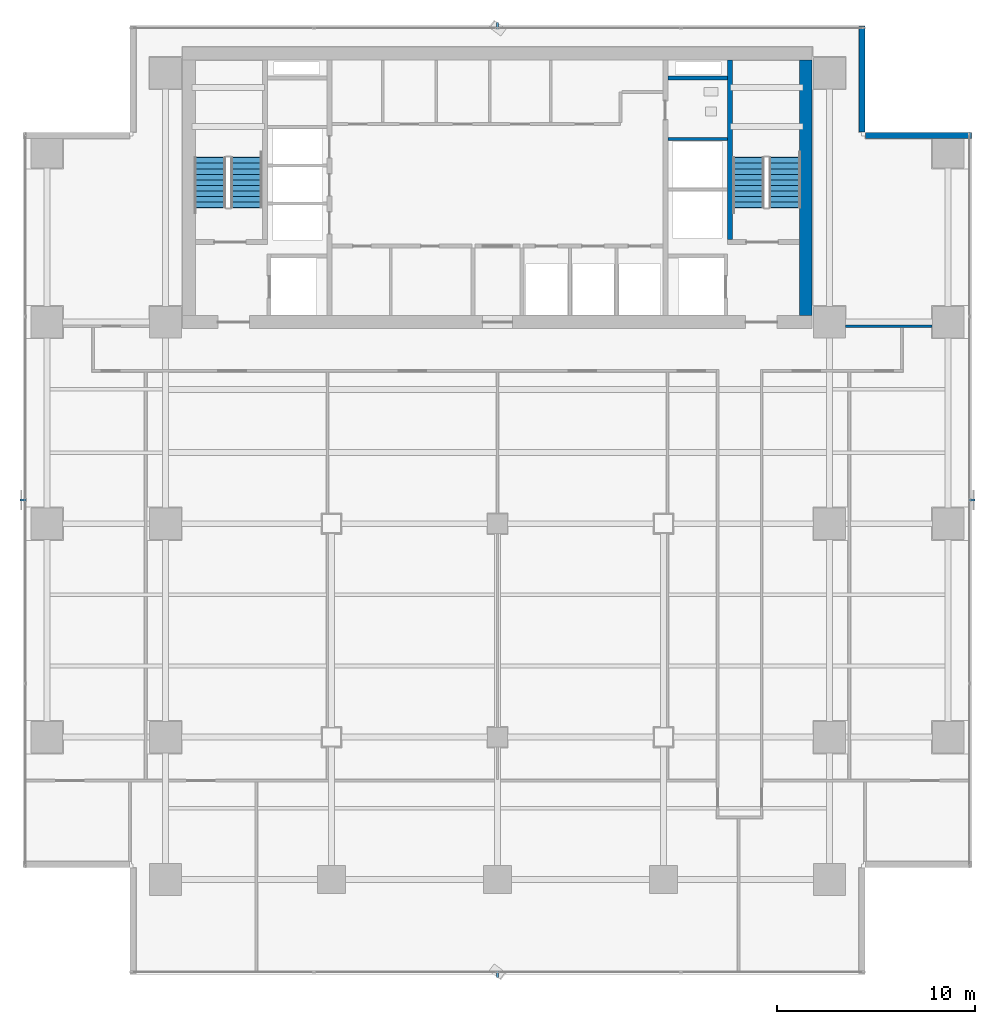
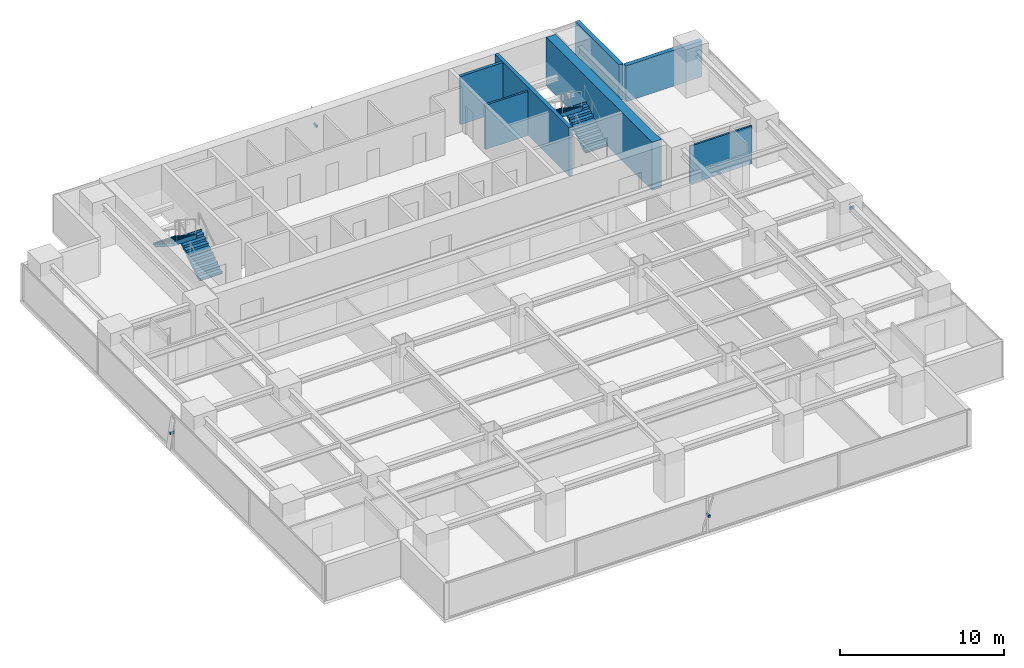
# One storey, part 23 of 28: 7 walls, 4 discrete accessories, 4 stair flights, 2 elements without a shape of their own.
"""IFC4 building model written with IfcOpenShell, lengths in metres."""

import ifcopenshell
import ifcopenshell.guid

model = None  # the IFC model being written
_history = None  # IfcOwnerHistory: only IFC2X3 demands one
_inside = {}  # id of a spatial element -> (the spatial element, [elements in it])
_under = {}  # id of a project, library or spatial element -> (it, [spatial elements below it])
_declared = {}  # id of a project -> (the project, [libraries it declares])
_typed = {}  # id of a type object -> (the type object, [elements of that type])
_made_of = {}  # id of a material, layer set ... -> (it, [elements and type objects made of it])


def new_model(schema):
    """Start an empty IFC model of exactly this schema.

    Asked for "IFC4X3", IfcOpenShell would pick the latest addendum, in which some entities
    have other attributes; the version numbers below select the first issue.
    IFC2X3 requires an IfcOwnerHistory on every rooted entity: one is made here for all.
    """
    global model, _history
    if schema == "IFC4X3":
        model = ifcopenshell.file(schema_version=(4, 3, 0, 0))
    else:
        model = ifcopenshell.file(schema=schema)
    _inside.clear()
    _under.clear()
    _declared.clear()
    _typed.clear()
    _made_of.clear()
    _history = None
    if model.schema == "IFC2X3":
        org = make("IfcOrganization", Name="unknown")
        user = make(
            "IfcPersonAndOrganization",
            ThePerson=make("IfcPerson", FamilyName="unknown"),
            TheOrganization=org,
        )
        app = make(
            "IfcApplication",
            ApplicationDeveloper=org,
            Version="unknown",
            ApplicationFullName="unknown",
            ApplicationIdentifier="unknown",
        )
        _history = make(
            "IfcOwnerHistory",
            OwningUser=user,
            OwningApplication=app,
            ChangeAction="ADDED",
            CreationDate=0,
        )
    return model


def make(cls, **values):
    """One entity of the class cls with the attributes given. An attribute that is None is left unset."""
    return model.create_entity(
        cls, **{name: value for name, value in values.items() if value is not None}
    )


def rooted(cls, **values):
    """An entity with a GlobalId (a new one), such as an element, a storey or a relation."""
    return make(cls, GlobalId=ifcopenshell.guid.new(), OwnerHistory=_history, **values)


def si_unit(unit_type, name, prefix=None):
    """IfcSIUnit, for example si_unit("LENGTHUNIT", "METRE", prefix="MILLI")."""
    return make("IfcSIUnit", UnitType=unit_type, Prefix=prefix, Name=name)


def assignment(units):
    """IfcUnitAssignment: the units of a project."""
    return None if units is None else make("IfcUnitAssignment", Units=units)


def point(xyz):
    """IfcCartesianPoint."""
    return None if xyz is None else make("IfcCartesianPoint", Coordinates=xyz)


def direction(xyz):
    """IfcDirection."""
    return None if xyz is None else make("IfcDirection", DirectionRatios=xyz)


def frame(location, z_axis=None, x_axis=None):
    """IfcAxis2Placement3D, a coordinate frame: its origin and axes. An axis left out is left unset."""
    return make(
        "IfcAxis2Placement3D",
        Location=point(location),
        Axis=direction(z_axis),
        RefDirection=direction(x_axis),
    )


def frame_2d(location, x_axis=None):
    """IfcAxis2Placement2D, a coordinate frame in the plane: its origin and x axis."""
    return make(
        "IfcAxis2Placement2D", Location=point(location), RefDirection=direction(x_axis)
    )


def origin():
    """The frame at (0, 0, 0) with its axes left unset."""
    return frame((0.0, 0.0, 0.0))


def origin_2d():
    """The frame at (0, 0) in the plane with its x axis left unset."""
    return frame_2d((0.0, 0.0))


def place(relative_to, where):
    """IfcLocalPlacement: puts the frame where relative to a parent placement (None: the world)."""
    return make(
        "IfcLocalPlacement", PlacementRelTo=relative_to, RelativePlacement=where
    )


def context(
    kind, dimensions, precision=None, world=None, true_north=None, identifier=None
):
    """IfcGeometricRepresentationContext, for example the 3D "Model" context."""
    return make(
        "IfcGeometricRepresentationContext",
        ContextIdentifier=identifier,
        ContextType=kind,
        CoordinateSpaceDimension=dimensions,
        Precision=precision,
        WorldCoordinateSystem=world,
        TrueNorth=true_north,
    )


def subcontext(parent, identifier, kind, view, scale=None):
    """IfcGeometricRepresentationSubContext, for example "Body" below "Model"."""
    return make(
        "IfcGeometricRepresentationSubContext",
        ContextIdentifier=identifier,
        ContextType=kind,
        ParentContext=parent,
        TargetScale=scale,
        TargetView=view,
    )


def project(units=None, contexts=None):
    """IfcProject with its units and contexts."""
    return rooted(
        "IfcProject",
        Name="project",
        RepresentationContexts=contexts,
        UnitsInContext=assignment(units),
    )


def spatial(cls, under=None, at=None, **own):
    """A site, building, storey or space (cls), placed at a placement, below another one or the project."""
    s = rooted(cls, ObjectPlacement=at, **own)
    if under is not None:
        _under.setdefault(under.id(), (under, []))[1].append(s)
    return s


def polyline(points):
    """IfcPolyline through the points."""
    return make("IfcPolyline", Points=[point(p) for p in points])


def profile(cls, at=None, kind="AREA", **sizes):
    """A parametric profile (cls). Its sizes go by their IFC names, for example OverallWidth=200.0."""
    return make(cls, ProfileType=kind, Position=at, **sizes)


def rectangle(**sizes):
    """IfcRectangleProfileDef."""
    return profile("IfcRectangleProfileDef", **sizes)


def outline(outer, holes=None, kind="AREA"):
    """IfcArbitraryClosedProfileDef: a profile drawn as a closed curve; with holes, ...WithVoids."""
    if holes is None:
        return make("IfcArbitraryClosedProfileDef", ProfileType=kind, OuterCurve=outer)
    return make(
        "IfcArbitraryProfileDefWithVoids",
        ProfileType=kind,
        OuterCurve=outer,
        InnerCurves=holes,
    )


def extrude(swept, where, along, depth):
    """IfcExtrudedAreaSolid: the profile swept, set in the frame where, extruded along a direction by depth."""
    return make(
        "IfcExtrudedAreaSolid",
        SweptArea=swept,
        Position=where,
        ExtrudedDirection=direction(along),
        Depth=depth,
    )


def shape(context_of_items, identifier, shape_type, items):
    """IfcShapeRepresentation: the items that make up one representation, for example the "Body"."""
    return make(
        "IfcShapeRepresentation",
        ContextOfItems=context_of_items,
        RepresentationIdentifier=identifier,
        RepresentationType=shape_type,
        Items=items,
    )


def source(mapping_origin, context_of_items, identifier, shape_type, items):
    """IfcRepresentationMap: a shape defined once, which mapped items show again and again."""
    return make(
        "IfcRepresentationMap",
        MappingOrigin=mapping_origin,
        MappedRepresentation=shape(context_of_items, identifier, shape_type, items),
    )


def transform(
    local_origin,
    x_axis=None,
    y_axis=None,
    z_axis=None,
    scale=None,
    scale2=None,
    scale3=None,
    uniform=True,
):
    """IfcCartesianTransformationOperator3D, or its non-uniform kind. x_axis, y_axis, z_axis: its Axis1, 2, 3."""
    if uniform:
        return make(
            "IfcCartesianTransformationOperator3D",
            Axis1=direction(x_axis),
            Axis2=direction(y_axis),
            LocalOrigin=point(local_origin),
            Scale=scale,
            Axis3=direction(z_axis),
        )
    return make(
        "IfcCartesianTransformationOperator3DnonUniform",
        Axis1=direction(x_axis),
        Axis2=direction(y_axis),
        LocalOrigin=point(local_origin),
        Scale=scale,
        Axis3=direction(z_axis),
        Scale2=scale2,
        Scale3=scale3,
    )


def mapped(mapping_source, mapping_target):
    """IfcMappedItem: shows the shape of a source again, moved by a transform."""
    return make(
        "IfcMappedItem", MappingSource=mapping_source, MappingTarget=mapping_target
    )


def material(Name=None, Category=None):
    """IfcMaterial."""
    return make("IfcMaterial", Name=Name, Category=Category)


def layer(
    of_material, thickness, ventilated=None, Name=None, Category=None, Priority=None
):
    """IfcMaterialLayer: one layer of a wall or slab, of a material (None: an air gap)."""
    return make(
        "IfcMaterialLayer",
        Material=of_material,
        LayerThickness=thickness,
        IsVentilated=ventilated,
        Name=Name,
        Category=Category,
        Priority=Priority,
    )


def layer_set(layers, Name=None):
    """IfcMaterialLayerSet."""
    return make("IfcMaterialLayerSet", MaterialLayers=layers, LayerSetName=Name)


def material_profile(
    of_material, cross_section, Name=None, Category=None, Priority=None
):
    """IfcMaterialProfile: a cross section and its material."""
    return make(
        "IfcMaterialProfile",
        Name=Name,
        Material=of_material,
        Profile=cross_section,
        Priority=Priority,
        Category=Category,
    )


def profile_set(profiles, Name=None, composite=None):
    """IfcMaterialProfileSet."""
    return make(
        "IfcMaterialProfileSet",
        Name=Name,
        MaterialProfiles=profiles,
        CompositeProfile=composite,
    )


def made_of(thing, what):
    """Note that an element or type object is made of a material, layer set ...; save() writes the relation."""
    if what is not None:
        _made_of.setdefault(what.id(), (what, []))[1].append(thing)
    return thing


def type_object(cls, material=None, **own):
    """A type object (cls), such as IfcWallType, which elements share."""
    return made_of(rooted(cls, **own), material)


def element(
    cls,
    number,
    at=None,
    inside=None,
    cuts=None,
    type_object=None,
    material=None,
    context=None,
    identifier="Body",
    shape_type=None,
    held_by="IfcProductDefinitionShape",
    body=None,
    shapes=None,
    **own,
):
    """One element of the class cls, such as IfcWall. Its Tag is "e" and its number.

    at: its placement. inside: the storey or other place that contains it. cuts: it is an
    opening in that element (IfcRelVoidsElement). A single representation is given by context,
    identifier, shape_type and body (its items); several are given by shapes. held_by: the class
    of the entity that holds the representations. save() writes the other relations.
    """
    e = rooted(cls, Tag="e%d" % number, ObjectPlacement=at, **own)
    if body is not None:
        shapes = [shape(context, identifier, shape_type, body)]
    if shapes is not None:
        e.Representation = make(held_by, Representations=shapes)
    if inside is not None:
        _inside.setdefault(inside.id(), (inside, []))[1].append(e)
    if cuts is not None:
        rooted(
            "IfcRelVoidsElement", RelatingBuildingElement=cuts, RelatedOpeningElement=e
        )
    if type_object is not None:
        _typed.setdefault(type_object.id(), (type_object, []))[1].append(e)
    return made_of(e, material)


def aggregate(whole, parts):
    """IfcRelAggregates: a whole, such as a stair, and the parts it consists of."""
    return rooted("IfcRelAggregates", RelatingObject=whole, RelatedObjects=parts)


def save(model, path):
    """Write the relations noted so far, then the file.

    IfcRelAggregates (storeys below a building ...), IfcRelContainedInSpatialStructure (elements
    in a storey), IfcRelDefinesByType, IfcRelAssociatesMaterial and IfcRelDeclares: one each for
    every whole, place, type object, material and project.
    """
    for whole, parts in _under.values():
        aggregate(whole, parts)
    for where, things in _inside.values():
        rooted(
            "IfcRelContainedInSpatialStructure",
            RelatedElements=things,
            RelatingStructure=where,
        )
    for kind, things in _typed.values():
        rooted("IfcRelDefinesByType", RelatedObjects=things, RelatingType=kind)
    for what, things in _made_of.values():
        rooted("IfcRelAssociatesMaterial", RelatedObjects=things, RelatingMaterial=what)
    for by, libraries in _declared.values():
        rooted("IfcRelDeclares", RelatingContext=by, RelatedDefinitions=libraries)
    model.write(path)


model = new_model("IFC4")

# Units and contexts
model_context = context("Model", 3, precision=1e-05, world=origin(), true_north=direction((0.0, 1.0)))
body_context = subcontext(model_context, "Body", "Model", "MODEL_VIEW")
ifc_project = project(units=[si_unit("LENGTHUNIT", "METRE"), si_unit("AREAUNIT", "SQUARE_METRE"), si_unit("VOLUMEUNIT", "CUBIC_METRE"), si_unit("PLANEANGLEUNIT", "RADIAN"), si_unit("MASSUNIT", "GRAM", prefix="KILO")], contexts=[model_context])

# Site, building, storey
site_placement = place(None, origin())
site = spatial("IfcSite", under=ifc_project, at=site_placement, CompositionType="ELEMENT")
building_placement = place(site_placement, origin())
building = spatial("IfcBuilding", under=site, at=building_placement, Name="Sumidabori Civic Tower", CompositionType="ELEMENT")
storey_placement = place(building_placement, frame((0.0, 0.0, 185.60009765625)))
storey = spatial("IfcBuildingStorey", under=building, at=storey_placement, Name="L48", CompositionType="ELEMENT", Elevation=185.60009765625)

# Walls
ifc_material_1 = material(Name="Concrete C50/60", Category="concrete")
ifc_layer_1 = layer(ifc_material_1, 0.199951171875, Name="Concrete C50/60")
ifc_layer_set_1 = layer_set([ifc_layer_1], Name="Concrete C50/60")
wall_type_1 = type_object("IfcWallType", Name="WL-SHAFT-200", PredefinedType="SHEAR", material=ifc_layer_set_1)
shared_shape_1 = source(origin(), body_context, "Body", "SweptSolid", [
    extrude(rectangle(XDim=3.02001953125, YDim=0.199951171875, at=frame_2d((1.510009765625, 0.0))), origin(), (0.0, 0.0, 1.0), 3.599853515625),
])
wall_1_placement = place(storey_placement, frame((8.625, 22.550048828125, 0.0), z_axis=(0.0, 0.0, 1.0), x_axis=(1.0, 0.0, 0.0)))
element("IfcWall", 1, at=wall_1_placement, inside=storey, type_object=wall_type_1, Name="Core Shear Wall L48 RIS2-S", PredefinedType="SHEAR", context=body_context, shape_type="MappedRepresentation", body=[
    mapped(shared_shape_1, transform((0.0, 0.0, 0.0), x_axis=(1.0, 0.0, 0.0), y_axis=(0.0, 1.0, 0.0), z_axis=(0.0, 0.0, 1.0), scale=1.0)),
])
ifc_material_2 = material(Name="Concrete C60/75", Category="concrete")
ifc_layer_2 = layer(ifc_material_2, 0.64990234375, Name="Concrete C60/75")
ifc_layer_set_2 = layer_set([ifc_layer_2], Name="Concrete C60/75")
wall_type_2 = type_object("IfcWallType", Name="WL-CORE-650", PredefinedType="SHEAR", material=ifc_layer_set_2)
shared_shape_2 = source(origin(), body_context, "Body", "SweptSolid", [
    extrude(rectangle(XDim=12.9501953125, YDim=0.64990234375, at=frame_2d((6.47509765625, 0.0))), origin(), (0.0, 0.0, 1.0), 3.599853515625),
])
wall_2_placement = place(storey_placement, frame((15.60009765625, 10.52490234375, 0.0), z_axis=(0.0, 0.0, 1.0), x_axis=(0.0, 1.0, 0.0)))
element("IfcWall", 2, at=wall_2_placement, inside=storey, type_object=wall_type_2, Name="Core Shear Wall L48 E", PredefinedType="SHEAR", context=body_context, shape_type="MappedRepresentation", body=[
    mapped(shared_shape_2, transform((0.0, 0.0, 0.0), x_axis=(1.0, 0.0, 0.0), y_axis=(0.0, 1.0, 0.0), z_axis=(0.0, 0.0, 1.0), scale=1.0)),
])
ifc_layer_3 = layer(ifc_material_1, 0.25, Name="Concrete C50/60")
ifc_layer_set_3 = layer_set([ifc_layer_3], Name="Concrete C50/60")
wall_type_3 = type_object("IfcWallType", Name="WL-SHAFT-250", PredefinedType="SHEAR", material=ifc_layer_set_3)
shared_shape_3 = source(origin(), body_context, "Body", "SweptSolid", [
    extrude(rectangle(XDim=9.10009765625, YDim=0.25, at=frame_2d((4.550048828125, 0.0))), origin(), (0.0, 0.0, 1.0), 3.599853515625),
])
wall_3_placement = place(storey_placement, frame((11.77001953125, 14.375, 0.0), z_axis=(0.0, 0.0, 1.0), x_axis=(0.0, 1.0, 0.0)))
element("IfcWall", 3, at=wall_3_placement, inside=storey, type_object=wall_type_3, Name="Core Shear Wall L48 ST2-W", PredefinedType="SHEAR", context=body_context, shape_type="MappedRepresentation", body=[
    mapped(shared_shape_3, transform((0.0, 0.0, 0.0), x_axis=(1.0, 0.0, 0.0), y_axis=(0.0, 1.0, 0.0), z_axis=(0.0, 0.0, 1.0), scale=1.0)),
])
ifc_material_3 = material(Name="Precast concrete C40/50", Category="concrete")
ifc_layer_4 = layer(ifc_material_3, 0.300048828125, Name="Precast concrete C40/50")
ifc_layer_set_4 = layer_set([ifc_layer_4], Name="Precast concrete C40/50")
wall_type_4 = type_object("IfcWallType", Name="WL-EXT-POD300", PredefinedType="STANDARD", material=ifc_layer_set_4)
shared_shape_4 = source(origin(), body_context, "Body", "SweptSolid", [
    extrude(rectangle(XDim=5.35986328125, YDim=0.300048828125, at=frame_2d((2.679931640625, 0.0))), origin(), (0.0, 0.0, 1.0), 2.679931640625),
])
for number, where, z_axis, x_axis, name in (
    (4, (23.97998046875, 19.64990234375, 0.0), (0.0, 0.0, 1.0), (-1.0, 0.0, 0.0), "Notched Corner Spandrel Band L48-05"),
    (5, (18.449951171875, 19.820068359375, 0.0), (0.0, 0.0, 1.0), (0.0, 1.0, 0.0), "Notched Corner Spandrel Band L48-06"),
):
    element("IfcWall", number, at=place(storey_placement, frame(where, z_axis=z_axis, x_axis=x_axis)), inside=storey, type_object=wall_type_4, Name=name, PredefinedType="STANDARD", context=body_context, shape_type="MappedRepresentation", body=[
        mapped(shared_shape_4, transform((0.0, 0.0, 0.0), x_axis=(1.0, 0.0, 0.0), y_axis=(0.0, 1.0, 0.0), z_axis=(0.0, 0.0, 1.0), scale=1.0)),
    ])
ifc_material_4 = material(Name="Gypsum Plasterboard Acoustic Partition")
ifc_layer_5 = layer(ifc_material_4, 0.14990234375, Name="Gypsum Plasterboard Acoustic Partition")
ifc_layer_set_5 = layer_set([ifc_layer_5], Name="Gypsum Plasterboard Acoustic Partition")
wall_type_5 = type_object("IfcWallType", Name="WL-PART-150", PredefinedType="PARTITIONING", material=ifc_layer_set_5)
shared_shape_5 = source(origin(), body_context, "Body", "SweptSolid", [
    extrude(rectangle(XDim=3.010009765625, YDim=0.14990234375, at=frame_2d((1.5048828125, 0.0))), origin(), (0.0, 0.0, 1.0), 3.2998046875),
])
wall_4_placement = place(storey_placement, frame((8.6298828125, 19.469970703125, 0.0), z_axis=(0.0, 0.0, 1.0), x_axis=(1.0, 0.0, 0.0)))
element("IfcWall", 6, at=wall_4_placement, inside=storey, type_object=wall_type_5, Name="Interior Partition WL:L48:DIV-OBS2", PredefinedType="PARTITIONING", context=body_context, shape_type="MappedRepresentation", body=[
    mapped(shared_shape_5, transform((0.0, 0.0, 0.0), x_axis=(1.0, 0.0, 0.0), y_axis=(0.0, 1.0, 0.0), z_axis=(0.0, 0.0, 1.0), scale=1.0)),
])
ifc_layer_6 = layer(ifc_material_4, 0.1201171875, Name="Gypsum Plasterboard Acoustic Partition")
ifc_layer_set_6 = layer_set([ifc_layer_6], Name="Gypsum Plasterboard Acoustic Partition")
wall_type_6 = type_object("IfcWallType", Name="WL-PART-120", PredefinedType="PARTITIONING", material=ifc_layer_set_6)
shared_shape_6 = source(origin(), body_context, "Body", "SweptSolid", [
    extrude(rectangle(XDim=4.3798828125, YDim=0.1201171875, at=frame_2d((2.18994140625, 0.0))), origin(), (0.0, 0.0, 1.0), 2.8349609375),
])
wall_5_placement = place(storey_placement, frame((17.610107421875, 10.0, 0.0), z_axis=(0.0, 0.0, 1.0), x_axis=(1.0, 0.0, 0.0)))
element("IfcWall", 7, at=wall_5_placement, inside=storey, type_object=wall_type_6, Name="Interior Partition WL:L48:FLK-NE", PredefinedType="PARTITIONING", context=body_context, shape_type="MappedRepresentation", body=[
    mapped(shared_shape_6, transform((0.0, 0.0, 0.0), x_axis=(1.0, 0.0, 0.0), y_axis=(0.0, 1.0, 0.0), z_axis=(0.0, 0.0, 1.0), scale=1.0)),
])

# Stair, stair flights
ifc_material_5 = material(Name="Concrete C40/50", Category="concrete")
stair_type = type_object("IfcStairType", Name="ST-CORE-1600", PredefinedType="HALF_TURN_STAIR", material=ifc_material_5)
stair_1_placement = place(storey_placement, origin())
stair_1 = element("IfcStair", 8, at=stair_1_placement, inside=storey, type_object=stair_type, Name="L48 ST-1", PredefinedType="HALF_TURN_STAIR")
stair_flight_type = type_object("IfcStairFlightType", Name="SF-CORE-1600", PredefinedType="STRAIGHT", material=ifc_material_5)
shared_shape_7 = source(origin(), body_context, "Body", "SweptSolid", [
    extrude(outline(polyline([(-0.02490234375, 0.0), (-0.02490234375, 0.0400390625), (0.0, 0.0400390625), (0.0, 0.179931640625), (0.280029296875, 0.179931640625), (0.280029296875, 0.360107421875), (0.56005859375, 0.360107421875), (0.56005859375, 0.5400390625), (0.840087890625, 0.5400390625), (0.840087890625, 0.719970703125), (1.1201171875, 0.719970703125), (1.1201171875, 0.89990234375), (1.39990234375, 0.89990234375), (1.39990234375, 1.080078125), (1.679931640625, 1.080078125), (1.679931640625, 1.260009765625), (1.9599609375, 1.260009765625), (1.9599609375, 1.43994140625), (2.239990234375, 1.43994140625), (2.239990234375, 1.6201171875), (2.52001953125, 1.6201171875), (2.52001953125, 1.800048828125), (2.544921875, 1.800048828125), (2.544921875, 1.650146484375), (2.52001953125, 1.44189453125), (0.277099609375, 0.0), (-0.02490234375, 0.0)])), frame((0.0, 0.800048828125, 0.0), z_axis=(0.0, -1.0, 0.0), x_axis=(1.0, 0.0, 0.0)), (0.0, 0.0, 1.0), 1.60009765625),
])
stair_flight_1_placement = place(storey_placement, frame((-12.699951171875, 16.0, 0.0), z_axis=(0.0, 0.0, 1.0), x_axis=(0.0, 1.0, 0.0)))
stair_flight_1 = element("IfcStairFlight", 9, at=stair_flight_1_placement, type_object=stair_flight_type, Name="ST-1 flight 1", NumberOfRisers=10, NumberOfTreads=9, PredefinedType="STRAIGHT", RiserHeight=0.18, TreadLength=0.28, context=body_context, shape_type="MappedRepresentation", body=[
    mapped(shared_shape_7, transform((0.0, 0.0, 0.0), x_axis=(1.0, 0.0, 0.0), y_axis=(0.0, 1.0, 0.0), z_axis=(0.0, 0.0, 1.0), scale=1.0)),
])
stair_flight_2_placement = place(storey_placement, frame((-14.5400390625, 18.52001953125, 1.7998046875), z_axis=(0.0, 0.0, 1.0), x_axis=(0.0, -1.0, 0.0)))
stair_flight_2 = element("IfcStairFlight", 10, at=stair_flight_2_placement, type_object=stair_flight_type, Name="ST-1 flight 2", NumberOfRisers=10, NumberOfTreads=9, PredefinedType="STRAIGHT", RiserHeight=0.18, TreadLength=0.28, context=body_context, shape_type="MappedRepresentation", body=[
    mapped(shared_shape_7, transform((0.0, 0.0, 0.0), x_axis=(1.0, 0.0, 0.0), y_axis=(0.0, 1.0, 0.0), z_axis=(0.0, 0.0, 1.0), scale=1.0)),
])
aggregate(stair_1, [stair_flight_1, stair_flight_2])

stair_2_placement = place(storey_placement, origin())
stair_2 = element("IfcStair", 11, at=stair_2_placement, inside=storey, type_object=stair_type, Name="L48 ST-2", PredefinedType="HALF_TURN_STAIR")
stair_flight_3_placement = place(storey_placement, frame((14.5400390625, 16.0, 0.0), z_axis=(0.0, 0.0, 1.0), x_axis=(0.0, 1.0, 0.0)))
stair_flight_3 = element("IfcStairFlight", 12, at=stair_flight_3_placement, type_object=stair_flight_type, Name="ST-2 flight 1", NumberOfRisers=10, NumberOfTreads=9, PredefinedType="STRAIGHT", RiserHeight=0.18, TreadLength=0.28, context=body_context, shape_type="MappedRepresentation", body=[
    mapped(shared_shape_7, transform((0.0, 0.0, 0.0), x_axis=(1.0, 0.0, 0.0), y_axis=(0.0, 1.0, 0.0), z_axis=(0.0, 0.0, 1.0), scale=1.0)),
])
stair_flight_4_placement = place(storey_placement, frame((12.699951171875, 18.52001953125, 1.7998046875), z_axis=(0.0, 0.0, 1.0), x_axis=(0.0, -1.0, 0.0)))
stair_flight_4 = element("IfcStairFlight", 13, at=stair_flight_4_placement, type_object=stair_flight_type, Name="ST-2 flight 2", NumberOfRisers=10, NumberOfTreads=9, PredefinedType="STRAIGHT", RiserHeight=0.18, TreadLength=0.28, context=body_context, shape_type="MappedRepresentation", body=[
    mapped(shared_shape_7, transform((0.0, 0.0, 0.0), x_axis=(1.0, 0.0, 0.0), y_axis=(0.0, 1.0, 0.0), z_axis=(0.0, 0.0, 1.0), scale=1.0)),
])
aggregate(stair_2, [stair_flight_3, stair_flight_4])

# Discrete accessories
ifc_material_6 = material(Name="Stainless Steel Hairline Finish", Category="steel")
ifc_material_profile = material_profile(ifc_material_6, rectangle(XDim=0.1201171875, YDim=0.179931640625, at=origin_2d()), Name="STEEL BRACKET 180x120")
ifc_profile_set = profile_set([ifc_material_profile], Name="Stainless Steel Hairline Finish")
discrete_accessory_type = type_object("IfcDiscreteAccessoryType", Name="AC-BRK-180", PredefinedType="BRACKET", material=ifc_profile_set)
shared_shape_8 = source(origin(), body_context, "Body", "SweptSolid", [
    extrude(rectangle(XDim=0.1201171875, YDim=0.179931640625, at=origin_2d()), origin(), (0.0, 0.0, 1.0), 0.329833984375),
])
for number, where, z_axis, x_axis, name in (
    (14, (23.830078125, 1.199951171875, 1.329833984375), (1.0, 0.0, 0.0), (0.0, 1.0, 0.0), "Bronze Fin Fixing Bracket L48-02"),
    (15, (-23.830078125, 1.199951171875, 1.329833984375), (-1.0, 0.0, 0.0), (0.0, -1.0, 0.0), "Bronze Fin Fixing Bracket L48-02"),
):
    element("IfcDiscreteAccessory", number, at=place(storey_placement, frame(where, z_axis=z_axis, x_axis=x_axis)), inside=storey, type_object=discrete_accessory_type, Name=name, PredefinedType="BRACKET", context=body_context, shape_type="MappedRepresentation", body=[
        mapped(shared_shape_8, transform((0.0, 0.0, 0.0), x_axis=(1.0, 0.0, 0.0), y_axis=(0.0, 1.0, 0.0), z_axis=(0.0, 0.0, 1.0), scale=1.0)),
    ])
shared_shape_9 = source(origin(), body_context, "Body", "SweptSolid", [
    extrude(rectangle(XDim=0.1201171875, YDim=0.179931640625, at=origin_2d()), origin(), (0.0, 0.0, 1.0), 0.330078125),
])
for number, where, z_axis, x_axis, name in (
    (16, (0.0, -22.6298828125, 1.329833984375), (0.0, -1.0, 0.0), (1.0, 0.0, 0.0), "Bronze Fin Fixing Bracket L48-02"),
    (17, (0.0, 25.030029296875, 1.329833984375), (0.0, 1.0, 0.0), (-1.0, 0.0, 0.0), "Bronze Fin Fixing Bracket L48-02"),
):
    element("IfcDiscreteAccessory", number, at=place(storey_placement, frame(where, z_axis=z_axis, x_axis=x_axis)), inside=storey, type_object=discrete_accessory_type, Name=name, PredefinedType="BRACKET", context=body_context, shape_type="MappedRepresentation", body=[
        mapped(shared_shape_9, transform((0.0, 0.0, 0.0), x_axis=(1.0, 0.0, 0.0), y_axis=(0.0, 1.0, 0.0), z_axis=(0.0, 0.0, 1.0), scale=1.0)),
    ])

save(model, "model.ifc")
